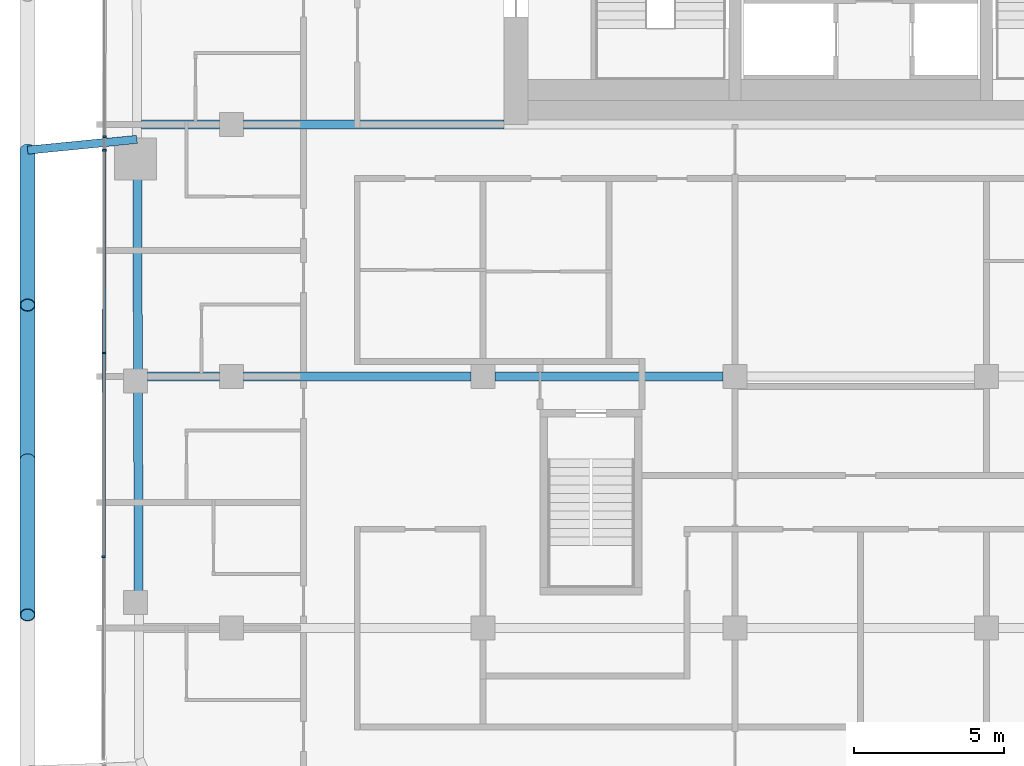
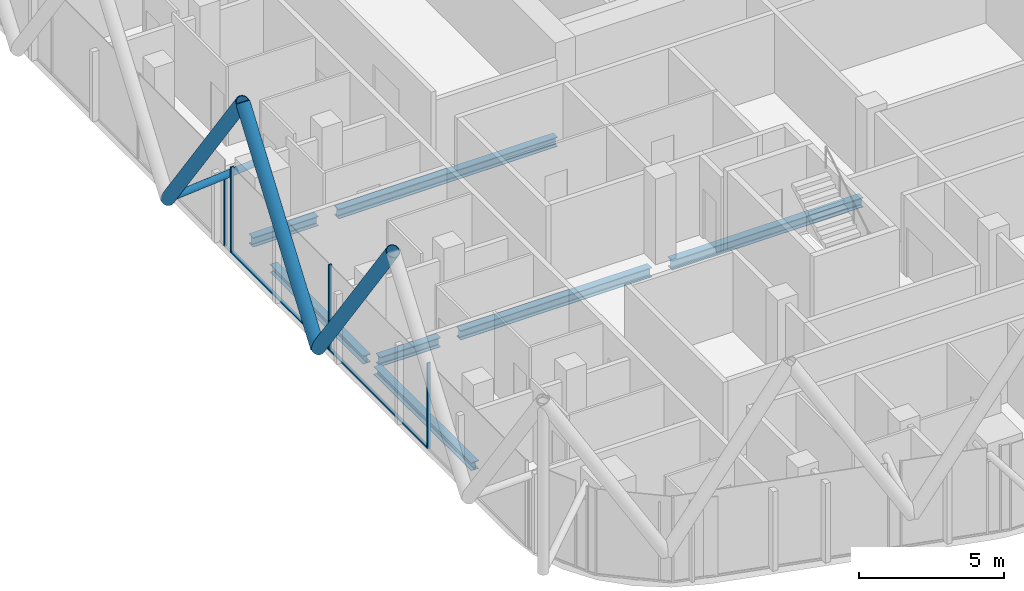
# One storey, part 4 of 31: 10 members, 7 beams, 2 elements without a shape of their own.
"""IFC4 building model written with IfcOpenShell, lengths in metres."""

from ifc_helpers import new_model, si_unit, direction, frame, origin, origin_2d, place, context, subcontext, project, spatial, rectangle, hollow_circle, i_section, extrude, material, layer, layer_set, material_profile, profile_set, type_object, element, aggregate, save


model = new_model("IFC4")

# Units and contexts
model_context = context("Model", 3, precision=1e-05, world=origin(), true_north=direction((0.0, 1.0)))
body_context = subcontext(model_context, "Body", "Model", "MODEL_VIEW")
ifc_project = project(units=[si_unit("LENGTHUNIT", "METRE"), si_unit("AREAUNIT", "SQUARE_METRE"), si_unit("VOLUMEUNIT", "CUBIC_METRE"), si_unit("PLANEANGLEUNIT", "RADIAN"), si_unit("MASSUNIT", "GRAM", prefix="KILO")], contexts=[model_context])

# Site, building, storey
site_placement = place(None, origin())
site = spatial("IfcSite", under=ifc_project, at=site_placement, CompositionType="ELEMENT")
building_placement = place(site_placement, origin())
building = spatial("IfcBuilding", under=site, at=building_placement, Name="Marenta Gate Hotel Tower", CompositionType="ELEMENT")
storey_placement = place(building_placement, frame((0.0, 0.0, 220.10009765625)))
storey = spatial("IfcBuildingStorey", under=building, at=storey_placement, Name="L51", CompositionType="ELEMENT", Elevation=220.10009765625)

# Members
ifc_material_1 = material(Name="Steel S355J2W", Category="steel")
ifc_material_profile_1 = material_profile(ifc_material_1, hollow_circle(Radius=0.25390625, WallThickness=0.02490234375, at=origin_2d()), Name="CHS 508x25")
ifc_profile_set_1 = profile_set([ifc_material_profile_1], Name="Steel S355J2W")
member_type_1 = type_object("IfcMemberType", Name="Diagrid diagonal Z3 CHS 508x25", PredefinedType="BRACE", material=ifc_profile_set_1)
member_1_placement = place(storey_placement, frame((-27.800048828125, -11.190185546875, 3.139892578125), z_axis=(0.0, -0.583260841117, 0.812284919975), x_axis=(1.0, 0.0, 0.0)))
element("IfcMember", 1, at=member_1_placement, inside=storey, type_object=member_type_1, Name="L51-DG-27", PredefinedType="BRACE", context=body_context, shape_type="SweptSolid", body=[
    extrude(hollow_circle(Radius=0.25390625, WallThickness=0.02490234375, at=origin_2d()), origin(), (0.0, 0.0, 1.0), 8.86376953125),
])
member_2_placement = place(storey_placement, frame((-27.800048828125, -11.190185546875, 3.139892578125), z_axis=(0.0, 0.583279014058, 0.812271870595), x_axis=(-1.0, 0.0, 0.0)))
element("IfcMember", 2, at=member_2_placement, inside=storey, type_object=member_type_1, Name="L51-DG-28", PredefinedType="BRACE", context=body_context, shape_type="SweptSolid", body=[
    extrude(hollow_circle(Radius=0.25390625, WallThickness=0.02490234375, at=origin_2d()), origin(), (0.0, 0.0, 1.0), 8.864013671875),
])
member_3_placement = place(storey_placement, frame((-27.800048828125, -0.85009765625, 3.139892578125), z_axis=(0.0, -0.583260841117, 0.812284919975), x_axis=(1.0, 0.0, 0.0)))
element("IfcMember", 3, at=member_3_placement, inside=storey, type_object=member_type_1, Name="L51-DG-29", PredefinedType="BRACE", context=body_context, shape_type="SweptSolid", body=[
    extrude(hollow_circle(Radius=0.25390625, WallThickness=0.02490234375, at=origin_2d()), origin(), (0.0, 0.0, 1.0), 8.86376953125),
])

# Beams
ifc_material_2 = material(Name="Steel S355", Category="steel")
ifc_material_profile_2 = material_profile(ifc_material_2, i_section(OverallWidth=0.300048828125, OverallDepth=0.340087890625, WebThickness=0.011962890625, FlangeThickness=0.021484375, FilletRadius=0.027099609375, at=origin_2d()), Name="HEB 340")
ifc_profile_set_2 = profile_set([ifc_material_profile_2], Name="Steel S355")
beam_type_1 = type_object("IfcBeamType", Name="Edge beam HEB 340", PredefinedType="SPANDREL", material=ifc_profile_set_2)
beam_1_placement = place(storey_placement, frame((-24.09375, -15.591796875, -0.43017578125), z_axis=(-0.00332539729, 0.999994470851, 0.0), x_axis=(-0.999994470851, -0.00332539729, 0.0)))
element("IfcBeam", 4, at=beam_1_placement, inside=storey, type_object=beam_type_1, Name="L51-EB-6", PredefinedType="SPANDREL", context=body_context, shape_type="SweptSolid", body=[
    extrude(i_section(OverallWidth=0.300048828125, OverallDepth=0.340087890625, WebThickness=0.011962890625, FlangeThickness=0.021484375, FilletRadius=0.027099609375, at=origin_2d()), origin(), (0.0, 0.0, 1.0), 6.680908203125),
])
beam_2_placement = place(storey_placement, frame((-24.118408203125, -8.19091796875, -0.43017578125), z_axis=(-0.003328723523, 0.999994459785, 0.0), x_axis=(-0.999994459785, -0.003328723523, 0.0)))
element("IfcBeam", 5, at=beam_2_placement, inside=storey, type_object=beam_type_1, Name="L51-EB-7", PredefinedType="SPANDREL", context=body_context, shape_type="SweptSolid", body=[
    extrude(i_section(OverallWidth=0.300048828125, OverallDepth=0.340087890625, WebThickness=0.011962890625, FlangeThickness=0.021484375, FilletRadius=0.027099609375, at=origin_2d()), origin(), (0.0, 0.0, 1.0), 6.380859375),
])

# Member
ifc_material_3 = material(Name="Steel S355J2W", Category="steel")
ifc_material_profile_3 = material_profile(ifc_material_3, hollow_circle(Radius=0.136474609375, WallThickness=0.012451171875, at=origin_2d()), Name="CHS 273x12.5")
ifc_profile_set_3 = profile_set([ifc_material_profile_3], Name="Steel S355J2W")
member_type_2 = type_object("IfcMemberType", Name="Floor tie CHS 273x12.5", PredefinedType="STRUT", material=ifc_profile_set_3)
member_4_placement = place(storey_placement, frame((-27.800048828125, -0.85009765625, 3.139892578125), z_axis=(0.995181771772, 0.098047137303, 0.0), x_axis=(-0.098047137303, 0.995181771772, 0.0)))
element("IfcMember", 6, at=member_4_placement, inside=storey, type_object=member_type_2, Name="L51-DR-20", PredefinedType="STRUT", context=body_context, shape_type="SweptSolid", body=[
    extrude(hollow_circle(Radius=0.136474609375, WallThickness=0.012451171875, at=origin_2d()), origin(), (0.0, 0.0, 1.0), 3.667724609375),
])

# Beams
ifc_material_4 = material(Name="Steel S355", Category="steel")
ifc_material_profile_4 = material_profile(ifc_material_4, i_section(OverallWidth=0.300048828125, OverallDepth=0.39990234375, WebThickness=0.013427734375, FlangeThickness=0.02392578125, FilletRadius=0.027099609375, at=origin_2d()), Name="HEB 400")
ifc_profile_set_4 = profile_set([ifc_material_profile_4], Name="Steel S355")
beam_type_2 = type_object("IfcBeamType", Name="Girder HEB 400", PredefinedType="BEAM", material=ifc_profile_set_4)
beam_3_placement = place(storey_placement, frame((-23.800048828125, -8.39990234375, -0.460205078125), z_axis=(1.0, 0.0, 0.0), x_axis=(0.0, 1.0, 0.0)))
element("IfcBeam", 7, at=beam_3_placement, inside=storey, type_object=beam_type_2, Name="L51-GD-13", PredefinedType="BEAM", context=body_context, shape_type="SweptSolid", body=[
    extrude(i_section(OverallWidth=0.300048828125, OverallDepth=0.39990234375, WebThickness=0.013427734375, FlangeThickness=0.02392578125, FilletRadius=0.027099609375, at=origin_2d()), origin(), (0.0, 0.0, 1.0), 2.400146484375),
])
beam_4_placement = place(storey_placement, frame((-20.60009765625, -8.39990234375, -0.460205078125), z_axis=(1.0, 0.0, 0.0), x_axis=(0.0, 1.0, 0.0)))
element("IfcBeam", 8, at=beam_4_placement, inside=storey, type_object=beam_type_2, Name="L51-GD-14", PredefinedType="BEAM", context=body_context, shape_type="SweptSolid", body=[
    extrude(i_section(OverallWidth=0.300048828125, OverallDepth=0.39990234375, WebThickness=0.013427734375, FlangeThickness=0.02392578125, FilletRadius=0.027099609375, at=origin_2d()), origin(), (0.0, 0.0, 1.0), 7.60009765625),
])
beam_5_placement = place(storey_placement, frame((-12.199951171875, -8.39990234375, -0.460205078125), z_axis=(1.0, 0.0, 0.0), x_axis=(0.0, 1.0, 0.0)))
element("IfcBeam", 9, at=beam_5_placement, inside=storey, type_object=beam_type_2, Name="L51-GD-15", PredefinedType="BEAM", context=body_context, shape_type="SweptSolid", body=[
    extrude(i_section(OverallWidth=0.300048828125, OverallDepth=0.39990234375, WebThickness=0.013427734375, FlangeThickness=0.02392578125, FilletRadius=0.027099609375, at=origin_2d()), origin(), (0.0, 0.0, 1.0), 7.599853515625),
])
beam_6_placement = place(storey_placement, frame((-23.99560546875, 0.0, -0.460205078125), z_axis=(1.0, 0.0, 0.0), x_axis=(0.0, 1.0, 0.0)))
element("IfcBeam", 10, at=beam_6_placement, inside=storey, type_object=beam_type_2, Name="L51-GD-20", PredefinedType="BEAM", context=body_context, shape_type="SweptSolid", body=[
    extrude(i_section(OverallWidth=0.300048828125, OverallDepth=0.39990234375, WebThickness=0.013427734375, FlangeThickness=0.02392578125, FilletRadius=0.027099609375, at=origin_2d()), origin(), (0.0, 0.0, 1.0), 2.595703125),
])
beam_7_placement = place(storey_placement, frame((-20.60009765625, 0.0, -0.460205078125), z_axis=(1.0, 0.0, 0.0), x_axis=(0.0, 1.0, 0.0)))
element("IfcBeam", 11, at=beam_7_placement, inside=storey, type_object=beam_type_2, Name="L51-GD-21", PredefinedType="BEAM", context=body_context, shape_type="SweptSolid", body=[
    extrude(i_section(OverallWidth=0.300048828125, OverallDepth=0.39990234375, WebThickness=0.013427734375, FlangeThickness=0.02392578125, FilletRadius=0.027099609375, at=origin_2d()), origin(), (0.0, 0.0, 1.0), 8.7001953125),
])

# Curtain wall, member
ifc_material_5 = material(Name="Tinted insulated glass in bronze anodised frame", Category="glass")
ifc_layer = layer(ifc_material_5, 0.1201171875)
ifc_layer_set = layer_set([ifc_layer], Name="Tinted insulated glass in bronze anodised frame")
curtain_wall_type = type_object("IfcCurtainWallType", Name="Tower unitised curtain wall CW1", PredefinedType="NOTDEFINED", material=ifc_layer_set)
curtain_wall_1_placement = place(storey_placement, origin())
curtain_wall_1 = element("IfcCurtainWall", 12, at=curtain_wall_1_placement, inside=storey, type_object=curtain_wall_type, Name="CW1 run G07", PredefinedType="NOTDEFINED")
ifc_material_6 = material(Name="Bronze anodised aluminium", Category="aluminium")
ifc_material_profile_5 = material_profile(ifc_material_6, rectangle(XDim=0.1201171875, YDim=0.06005859375, at=origin_2d()), Name="Mullion CW1 60x120 bronze anodised aluminium")
ifc_profile_set_5 = profile_set([ifc_material_profile_5], Name="Bronze anodised aluminium")
member_type_3 = type_object("IfcMemberType", Name="Mullion CW1 60x120 bronze anodised aluminium", PredefinedType="MULLION", material=ifc_profile_set_5)
member_5_placement = place(storey_placement, frame((-25.240234375, -0.400390625, 0.0), z_axis=(0.0, 0.0, 1.0), x_axis=(0.99999881761, -0.001537783778, 0.0)))
member_5 = element("IfcMember", 13, at=member_5_placement, type_object=member_type_3, Name="CW1 mullion 1", PredefinedType="MULLION", context=body_context, shape_type="SweptSolid", body=[
    extrude(rectangle(XDim=0.1201171875, YDim=0.06005859375, at=origin_2d()), origin(), (0.0, 0.0, 1.0), 3.00048828125),
])
aggregate(curtain_wall_1, [member_5])

# Curtain wall, members
curtain_wall_2_placement = place(storey_placement, origin())
curtain_wall_2 = element("IfcCurtainWall", 14, at=curtain_wall_2_placement, inside=storey, type_object=curtain_wall_type, Name="CW1 run G08", PredefinedType="NOTDEFINED")
member_6_placement = place(storey_placement, frame((-25.240966796875, -0.855712890625, 0.0), z_axis=(0.0, 0.0, 1.0), x_axis=(0.999998775932, -0.001564651623, 0.0)))
member_6 = element("IfcMember", 15, at=member_6_placement, type_object=member_type_3, Name="CW1 mullion 1", PredefinedType="MULLION", context=body_context, shape_type="SweptSolid", body=[
    extrude(rectangle(XDim=0.1201171875, YDim=0.06005859375, at=origin_2d()), origin(), (0.0, 0.0, 1.0), 3.599853515625),
])
member_7_placement = place(storey_placement, frame((-25.251708984375, -7.62158203125, 0.0), z_axis=(0.0, 0.0, 1.0), x_axis=(0.999998775932, -0.001564651623, 0.0)))
member_7 = element("IfcMember", 16, at=member_7_placement, type_object=member_type_3, Name="CW1 mullion 2", PredefinedType="MULLION", context=body_context, shape_type="SweptSolid", body=[
    extrude(rectangle(XDim=0.1201171875, YDim=0.06005859375, at=origin_2d()), origin(), (0.0, 0.0, 1.0), 3.599853515625),
])
member_8_placement = place(storey_placement, frame((-25.26220703125, -14.41748046875, 0.0), z_axis=(0.0, 0.0, 1.0), x_axis=(0.999998775932, -0.001564651623, 0.0)))
member_8 = element("IfcMember", 17, at=member_8_placement, type_object=member_type_3, Name="CW1 mullion 3", PredefinedType="MULLION", context=body_context, shape_type="SweptSolid", body=[
    extrude(rectangle(XDim=0.1201171875, YDim=0.06005859375, at=origin_2d()), origin(), (0.0, 0.0, 1.0), 3.599853515625),
])
ifc_material_7 = material(Name="Bronze anodised aluminium", Category="aluminium")
ifc_material_profile_6 = material_profile(ifc_material_7, rectangle(XDim=0.1201171875, YDim=0.06005859375, at=origin_2d()), Name="Transom CW1 60x120 bronze anodised aluminium")
ifc_profile_set_6 = profile_set([ifc_material_profile_6], Name="Bronze anodised aluminium")
member_type_4 = type_object("IfcMemberType", Name="Transom CW1 60x120 bronze anodised aluminium", PredefinedType="USERDEFINED", material=ifc_profile_set_6)
member_9_placement = place(storey_placement, frame((-25.2412109375, -0.885498046875, 0.02978515625), z_axis=(-0.0015290502, -0.999998831002, 0.0), x_axis=(0.999998831002, -0.0015290502, 0.0)))
member_9 = element("IfcMember", 18, at=member_9_placement, type_object=member_type_4, Name="CW1 transom 1.1", ObjectType="TRANSOM", PredefinedType="USERDEFINED", context=body_context, shape_type="SweptSolid", body=[
    extrude(rectangle(XDim=0.1201171875, YDim=0.06005859375, at=origin_2d()), origin(), (0.0, 0.0, 1.0), 6.7060546875),
])
member_10_placement = place(storey_placement, frame((-25.251708984375, -7.651611328125, 0.02978515625), z_axis=(-0.001558533808, -0.999998785485, 0.0), x_axis=(0.999998785485, -0.001558533808, 0.0)))
member_10 = element("IfcMember", 19, at=member_10_placement, type_object=member_type_4, Name="CW1 transom 2.1", ObjectType="TRANSOM", PredefinedType="USERDEFINED", context=body_context, shape_type="SweptSolid", body=[
    extrude(rectangle(XDim=0.1201171875, YDim=0.06005859375, at=origin_2d()), origin(), (0.0, 0.0, 1.0), 6.73583984375),
])
aggregate(curtain_wall_2, [member_6, member_7, member_8, member_9, member_10])

save(model, "model.ifc")
